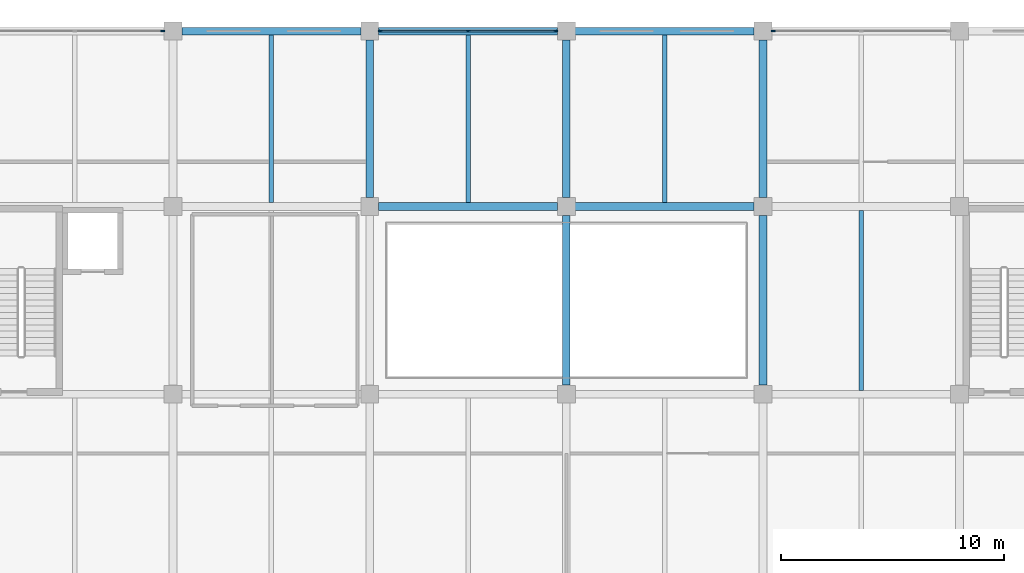
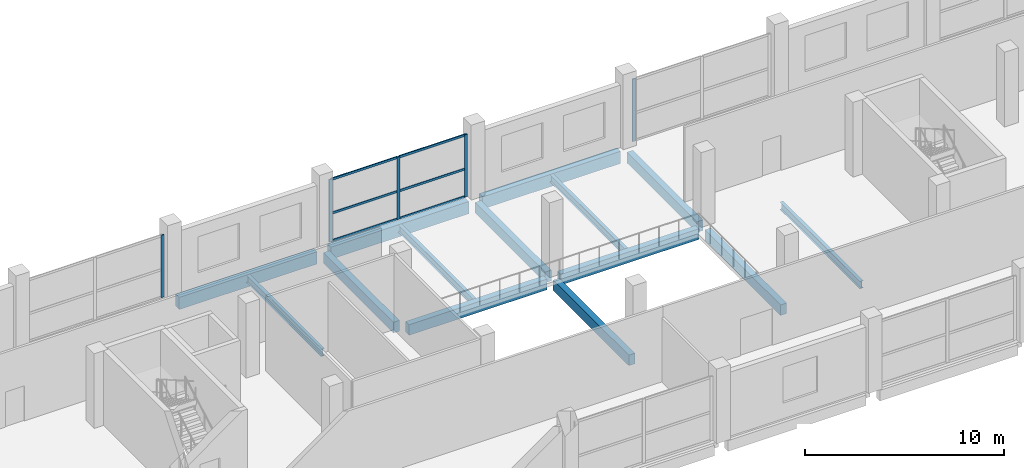
# One storey, part 12 of 31: 14 beams, 11 members, 3 elements without a shape of their own.
"""IFC4 building model written with IfcOpenShell, lengths in metres."""

import ifcopenshell
import ifcopenshell.guid

model = None  # the IFC model being written
_history = None  # IfcOwnerHistory: only IFC2X3 demands one
_inside = {}  # id of a spatial element -> (the spatial element, [elements in it])
_under = {}  # id of a project, library or spatial element -> (it, [spatial elements below it])
_declared = {}  # id of a project -> (the project, [libraries it declares])
_typed = {}  # id of a type object -> (the type object, [elements of that type])
_made_of = {}  # id of a material, layer set ... -> (it, [elements and type objects made of it])


def new_model(schema):
    """Start an empty IFC model of exactly this schema.

    Asked for "IFC4X3", IfcOpenShell would pick the latest addendum, in which some entities
    have other attributes; the version numbers below select the first issue.
    IFC2X3 requires an IfcOwnerHistory on every rooted entity: one is made here for all.
    """
    global model, _history
    if schema == "IFC4X3":
        model = ifcopenshell.file(schema_version=(4, 3, 0, 0))
    else:
        model = ifcopenshell.file(schema=schema)
    _inside.clear()
    _under.clear()
    _declared.clear()
    _typed.clear()
    _made_of.clear()
    _history = None
    if model.schema == "IFC2X3":
        org = make("IfcOrganization", Name="unknown")
        user = make(
            "IfcPersonAndOrganization",
            ThePerson=make("IfcPerson", FamilyName="unknown"),
            TheOrganization=org,
        )
        app = make(
            "IfcApplication",
            ApplicationDeveloper=org,
            Version="unknown",
            ApplicationFullName="unknown",
            ApplicationIdentifier="unknown",
        )
        _history = make(
            "IfcOwnerHistory",
            OwningUser=user,
            OwningApplication=app,
            ChangeAction="ADDED",
            CreationDate=0,
        )
    return model


def make(cls, **values):
    """One entity of the class cls with the attributes given. An attribute that is None is left unset."""
    return model.create_entity(
        cls, **{name: value for name, value in values.items() if value is not None}
    )


def rooted(cls, **values):
    """An entity with a GlobalId (a new one), such as an element, a storey or a relation."""
    return make(cls, GlobalId=ifcopenshell.guid.new(), OwnerHistory=_history, **values)


def si_unit(unit_type, name, prefix=None):
    """IfcSIUnit, for example si_unit("LENGTHUNIT", "METRE", prefix="MILLI")."""
    return make("IfcSIUnit", UnitType=unit_type, Prefix=prefix, Name=name)


def assignment(units):
    """IfcUnitAssignment: the units of a project."""
    return None if units is None else make("IfcUnitAssignment", Units=units)


def point(xyz):
    """IfcCartesianPoint."""
    return None if xyz is None else make("IfcCartesianPoint", Coordinates=xyz)


def direction(xyz):
    """IfcDirection."""
    return None if xyz is None else make("IfcDirection", DirectionRatios=xyz)


def frame(location, z_axis=None, x_axis=None):
    """IfcAxis2Placement3D, a coordinate frame: its origin and axes. An axis left out is left unset."""
    return make(
        "IfcAxis2Placement3D",
        Location=point(location),
        Axis=direction(z_axis),
        RefDirection=direction(x_axis),
    )


def frame_2d(location, x_axis=None):
    """IfcAxis2Placement2D, a coordinate frame in the plane: its origin and x axis."""
    return make(
        "IfcAxis2Placement2D", Location=point(location), RefDirection=direction(x_axis)
    )


def origin():
    """The frame at (0, 0, 0) with its axes left unset."""
    return frame((0.0, 0.0, 0.0))


def origin_2d():
    """The frame at (0, 0) in the plane with its x axis left unset."""
    return frame_2d((0.0, 0.0))


def place(relative_to, where):
    """IfcLocalPlacement: puts the frame where relative to a parent placement (None: the world)."""
    return make(
        "IfcLocalPlacement", PlacementRelTo=relative_to, RelativePlacement=where
    )


def context(
    kind, dimensions, precision=None, world=None, true_north=None, identifier=None
):
    """IfcGeometricRepresentationContext, for example the 3D "Model" context."""
    return make(
        "IfcGeometricRepresentationContext",
        ContextIdentifier=identifier,
        ContextType=kind,
        CoordinateSpaceDimension=dimensions,
        Precision=precision,
        WorldCoordinateSystem=world,
        TrueNorth=true_north,
    )


def subcontext(parent, identifier, kind, view, scale=None):
    """IfcGeometricRepresentationSubContext, for example "Body" below "Model"."""
    return make(
        "IfcGeometricRepresentationSubContext",
        ContextIdentifier=identifier,
        ContextType=kind,
        ParentContext=parent,
        TargetScale=scale,
        TargetView=view,
    )


def project(units=None, contexts=None):
    """IfcProject with its units and contexts."""
    return rooted(
        "IfcProject",
        Name="project",
        RepresentationContexts=contexts,
        UnitsInContext=assignment(units),
    )


def spatial(cls, under=None, at=None, **own):
    """A site, building, storey or space (cls), placed at a placement, below another one or the project."""
    s = rooted(cls, ObjectPlacement=at, **own)
    if under is not None:
        _under.setdefault(under.id(), (under, []))[1].append(s)
    return s


def profile(cls, at=None, kind="AREA", **sizes):
    """A parametric profile (cls). Its sizes go by their IFC names, for example OverallWidth=200.0."""
    return make(cls, ProfileType=kind, Position=at, **sizes)


def rectangle(**sizes):
    """IfcRectangleProfileDef."""
    return profile("IfcRectangleProfileDef", **sizes)


def i_section(**sizes):
    """IfcIShapeProfileDef."""
    return profile("IfcIShapeProfileDef", **sizes)


def extrude(swept, where, along, depth):
    """IfcExtrudedAreaSolid: the profile swept, set in the frame where, extruded along a direction by depth."""
    return make(
        "IfcExtrudedAreaSolid",
        SweptArea=swept,
        Position=where,
        ExtrudedDirection=direction(along),
        Depth=depth,
    )


def shape(context_of_items, identifier, shape_type, items):
    """IfcShapeRepresentation: the items that make up one representation, for example the "Body"."""
    return make(
        "IfcShapeRepresentation",
        ContextOfItems=context_of_items,
        RepresentationIdentifier=identifier,
        RepresentationType=shape_type,
        Items=items,
    )


def material(Name=None, Category=None):
    """IfcMaterial."""
    return make("IfcMaterial", Name=Name, Category=Category)


def material_profile(
    of_material, cross_section, Name=None, Category=None, Priority=None
):
    """IfcMaterialProfile: a cross section and its material."""
    return make(
        "IfcMaterialProfile",
        Name=Name,
        Material=of_material,
        Profile=cross_section,
        Priority=Priority,
        Category=Category,
    )


def profile_set(profiles, Name=None, composite=None):
    """IfcMaterialProfileSet."""
    return make(
        "IfcMaterialProfileSet",
        Name=Name,
        MaterialProfiles=profiles,
        CompositeProfile=composite,
    )


def made_of(thing, what):
    """Note that an element or type object is made of a material, layer set ...; save() writes the relation."""
    if what is not None:
        _made_of.setdefault(what.id(), (what, []))[1].append(thing)
    return thing


def type_object(cls, material=None, **own):
    """A type object (cls), such as IfcWallType, which elements share."""
    return made_of(rooted(cls, **own), material)


def element(
    cls,
    number,
    at=None,
    inside=None,
    cuts=None,
    type_object=None,
    material=None,
    context=None,
    identifier="Body",
    shape_type=None,
    held_by="IfcProductDefinitionShape",
    body=None,
    shapes=None,
    **own,
):
    """One element of the class cls, such as IfcWall. Its Tag is "e" and its number.

    at: its placement. inside: the storey or other place that contains it. cuts: it is an
    opening in that element (IfcRelVoidsElement). A single representation is given by context,
    identifier, shape_type and body (its items); several are given by shapes. held_by: the class
    of the entity that holds the representations. save() writes the other relations.
    """
    e = rooted(cls, Tag="e%d" % number, ObjectPlacement=at, **own)
    if body is not None:
        shapes = [shape(context, identifier, shape_type, body)]
    if shapes is not None:
        e.Representation = make(held_by, Representations=shapes)
    if inside is not None:
        _inside.setdefault(inside.id(), (inside, []))[1].append(e)
    if cuts is not None:
        rooted(
            "IfcRelVoidsElement", RelatingBuildingElement=cuts, RelatedOpeningElement=e
        )
    if type_object is not None:
        _typed.setdefault(type_object.id(), (type_object, []))[1].append(e)
    return made_of(e, material)


def aggregate(whole, parts):
    """IfcRelAggregates: a whole, such as a stair, and the parts it consists of."""
    return rooted("IfcRelAggregates", RelatingObject=whole, RelatedObjects=parts)


def save(model, path):
    """Write the relations noted so far, then the file.

    IfcRelAggregates (storeys below a building ...), IfcRelContainedInSpatialStructure (elements
    in a storey), IfcRelDefinesByType, IfcRelAssociatesMaterial and IfcRelDeclares: one each for
    every whole, place, type object, material and project.
    """
    for whole, parts in _under.values():
        aggregate(whole, parts)
    for where, things in _inside.values():
        rooted(
            "IfcRelContainedInSpatialStructure",
            RelatedElements=things,
            RelatingStructure=where,
        )
    for kind, things in _typed.values():
        rooted("IfcRelDefinesByType", RelatedObjects=things, RelatingType=kind)
    for what, things in _made_of.values():
        rooted("IfcRelAssociatesMaterial", RelatedObjects=things, RelatingMaterial=what)
    for by, libraries in _declared.values():
        rooted("IfcRelDeclares", RelatingContext=by, RelatedDefinitions=libraries)
    model.write(path)


model = new_model("IFC4")

# Units and contexts
model_context = context("Model", 3, precision=1e-05, world=origin(), true_north=direction((0.0, 1.0)))
body_context = subcontext(model_context, "Body", "Model", "MODEL_VIEW")
ifc_project = project(units=[si_unit("LENGTHUNIT", "METRE"), si_unit("AREAUNIT", "SQUARE_METRE"), si_unit("VOLUMEUNIT", "CUBIC_METRE"), si_unit("PLANEANGLEUNIT", "RADIAN"), si_unit("MASSUNIT", "GRAM", prefix="KILO")], contexts=[model_context])

# Site, building, storey
site_placement = place(None, origin())
site = spatial("IfcSite", under=ifc_project, at=site_placement, CompositionType="ELEMENT")
building_placement = place(site_placement, origin())
building = spatial("IfcBuilding", under=site, at=building_placement, Name="Brinegate Botanical Conservatory", CompositionType="ELEMENT")
storey_placement = place(building_placement, frame((0.0, 0.0, 5.39990234375)))
storey = spatial("IfcBuildingStorey", under=building, at=storey_placement, Name="L02", CompositionType="ELEMENT", Elevation=5.39990234375)

# Beams
ifc_material_1 = material(Name="Concrete C40/50", Category="concrete")
ifc_material_profile_1 = material_profile(ifc_material_1, rectangle(XDim=0.35009765625, YDim=0.64990234375, at=origin_2d()), Name="RC BM 350x650")
ifc_profile_set_1 = profile_set([ifc_material_profile_1], Name="Concrete C40/50")
beam_type_1 = type_object("IfcBeamType", Name="Beam_BM-V3", PredefinedType="BEAM", material=ifc_profile_set_1)
for number, where, z_axis, x_axis, name in (
    (1, (77.60009765625, 103.60009765625, -0.544921875), (1.0, 0.0, 0.0), (0.0, 1.0, 0.0), "Beam BM-V3 L02 N:10-11"),
    (2, (86.39990234375, 103.60009765625, -0.544921875), (1.0, 0.0, 0.0), (0.0, 1.0, 0.0), "Beam BM-V3 L02 N:11-12"),
):
    element("IfcBeam", number, at=place(storey_placement, frame(where, z_axis=z_axis, x_axis=x_axis)), inside=storey, type_object=beam_type_1, Name=name, PredefinedType="BEAM", context=body_context, shape_type="SweptSolid", body=[
        extrude(rectangle(XDim=0.35009765625, YDim=0.64990234375, at=origin_2d()), origin(), (0.0, 0.0, 1.0), 8.0),
    ])
beam_1_placement = place(storey_placement, frame((77.199951171875, 104.0, -0.544921875), z_axis=(0.0, 1.0, 0.0), x_axis=(-1.0, 0.0, 0.0)))
element("IfcBeam", 3, at=beam_1_placement, inside=storey, type_object=beam_type_1, Name="Beam BM-V3 L02 10:N-P", PredefinedType="BEAM", context=body_context, shape_type="SweptSolid", body=[
    extrude(rectangle(XDim=0.35009765625, YDim=0.64990234375, at=origin_2d()), origin(), (0.0, 0.0, 1.0), 7.050048828125),
])
beam_2_placement = place(storey_placement, frame((86.0, 95.60009765625, -0.544921875), z_axis=(0.0, 1.0, 0.0), x_axis=(-1.0, 0.0, 0.0)))
element("IfcBeam", 4, at=beam_2_placement, inside=storey, type_object=beam_type_1, Name="Beam BM-V3 L02 11:M-N", PredefinedType="BEAM", context=body_context, shape_type="SweptSolid", body=[
    extrude(rectangle(XDim=0.35009765625, YDim=0.64990234375, at=origin_2d()), origin(), (0.0, 0.0, 1.0), 7.599853515625),
])
beam_3_placement = place(storey_placement, frame((86.0, 104.0, -0.544921875), z_axis=(0.0, 1.0, 0.0), x_axis=(-1.0, 0.0, 0.0)))
element("IfcBeam", 5, at=beam_3_placement, inside=storey, type_object=beam_type_1, Name="Beam BM-V3 L02 11:N-P", PredefinedType="BEAM", context=body_context, shape_type="SweptSolid", body=[
    extrude(rectangle(XDim=0.35009765625, YDim=0.64990234375, at=origin_2d()), origin(), (0.0, 0.0, 1.0), 7.050048828125),
])
beam_4_placement = place(storey_placement, frame((94.800048828125, 95.60009765625, -0.544921875), z_axis=(0.0, 1.0, 0.0), x_axis=(-1.0, 0.0, 0.0)))
element("IfcBeam", 6, at=beam_4_placement, inside=storey, type_object=beam_type_1, Name="Beam BM-V3 L02 12:M-N", PredefinedType="BEAM", context=body_context, shape_type="SweptSolid", body=[
    extrude(rectangle(XDim=0.35009765625, YDim=0.64990234375, at=origin_2d()), origin(), (0.0, 0.0, 1.0), 7.599853515625),
])
beam_5_placement = place(storey_placement, frame((94.800048828125, 104.0, -0.544921875), z_axis=(0.0, 1.0, 0.0), x_axis=(-1.0, 0.0, 0.0)))
element("IfcBeam", 7, at=beam_5_placement, inside=storey, type_object=beam_type_1, Name="Beam BM-V3 L02 12:N-P", PredefinedType="BEAM", context=body_context, shape_type="SweptSolid", body=[
    extrude(rectangle(XDim=0.35009765625, YDim=0.64990234375, at=origin_2d()), origin(), (0.0, 0.0, 1.0), 7.050048828125),
])
ifc_material_2 = material(Name="Structural steel Q355B / S355", Category="steel")
ifc_material_profile_2 = material_profile(ifc_material_2, i_section(OverallWidth=0.199951171875, OverallDepth=0.449951171875, WebThickness=0.009033203125, FlangeThickness=0.013916015625, at=origin_2d()), Name="HN 450x200x9x14")
ifc_profile_set_2 = profile_set([ifc_material_profile_2], Name="Structural steel Q355B / S355")
beam_type_2 = type_object("IfcBeamType", Name="Beam_JS-S1", PredefinedType="JOIST", material=ifc_profile_set_2)
for number, where, z_axis, x_axis, name in (
    (8, (72.800048828125, 103.77490234375, -0.44482421875), (0.0, 1.0, 0.0), (-1.0, 0.0, 0.0), "Floor joist JS-S1 L02 bay 9.13"),
    (9, (81.60009765625, 103.77490234375, -0.44482421875), (0.0, 1.0, 0.0), (-1.0, 0.0, 0.0), "Floor joist JS-S1 L02 bay 10.13"),
    (10, (90.39990234375, 103.77490234375, -0.44482421875), (0.0, 1.0, 0.0), (-1.0, 0.0, 0.0), "Floor joist JS-S1 L02 bay 11.13"),
):
    element("IfcBeam", number, at=place(storey_placement, frame(where, z_axis=z_axis, x_axis=x_axis)), inside=storey, type_object=beam_type_2, Name=name, PredefinedType="JOIST", context=body_context, shape_type="SweptSolid", body=[
        extrude(i_section(OverallWidth=0.199951171875, OverallDepth=0.449951171875, WebThickness=0.009033203125, FlangeThickness=0.013916015625, at=origin_2d()), origin(), (0.0, 0.0, 1.0), 7.5),
    ])
beam_6_placement = place(storey_placement, frame((99.199951171875, 95.375, -0.44482421875), z_axis=(0.0, 1.0, 0.0), x_axis=(-1.0, 0.0, 0.0)))
element("IfcBeam", 11, at=beam_6_placement, inside=storey, type_object=beam_type_2, Name="Floor joist JS-S1 L02 bay 12.12", PredefinedType="JOIST", context=body_context, shape_type="SweptSolid", body=[
    extrude(i_section(OverallWidth=0.199951171875, OverallDepth=0.449951171875, WebThickness=0.009033203125, FlangeThickness=0.013916015625, at=origin_2d()), origin(), (0.0, 0.0, 1.0), 8.050048828125),
])
ifc_material_profile_3 = material_profile(ifc_material_1, rectangle(XDim=0.35009765625, YDim=0.75, at=origin_2d()), Name="RC SPN 350x750")
ifc_profile_set_3 = profile_set([ifc_material_profile_3], Name="Concrete C40/50")
beam_type_3 = type_object("IfcBeamType", Name="Beam_SP-01", PredefinedType="SPANDREL", material=ifc_profile_set_3)
for number, where, z_axis, x_axis, name in (
    (12, (68.800048828125, 111.449951171875, -0.594970703125), (1.0, 0.0, 0.0), (0.0, 1.0, 0.0), "Beam SP-01 L02 P:9-10"),
    (13, (77.60009765625, 111.449951171875, -0.594970703125), (1.0, 0.0, 0.0), (0.0, 1.0, 0.0), "Beam SP-01 L02 P:10-11"),
    (14, (86.39990234375, 111.449951171875, -0.594970703125), (1.0, 0.0, 0.0), (0.0, 1.0, 0.0), "Beam SP-01 L02 P:11-12"),
):
    element("IfcBeam", number, at=place(storey_placement, frame(where, z_axis=z_axis, x_axis=x_axis)), inside=storey, type_object=beam_type_3, Name=name, PredefinedType="SPANDREL", context=body_context, shape_type="SweptSolid", body=[
        extrude(rectangle(XDim=0.35009765625, YDim=0.75, at=origin_2d()), origin(), (0.0, 0.0, 1.0), 8.0),
    ])

# Curtain wall, member
ifc_material_3 = material(Name="Thermally broken anodised aluminium AW-6063-T6", Category="aluminium")
curtain_wall_type = type_object("IfcCurtainWallType", Name="CW_CW-V3", PredefinedType="USERDEFINED", material=ifc_material_3)
curtain_wall_1_placement = place(storey_placement, origin())
curtain_wall_1 = element("IfcCurtainWall", 15, at=curtain_wall_1_placement, inside=storey, type_object=curtain_wall_type, Name="Visitor north factory curtain wall L02.2", ObjectType="FACTORY CURTAIN WALL", PredefinedType="USERDEFINED")
ifc_material_profile_4 = material_profile(ifc_material_3, rectangle(XDim=0.06494140625, YDim=0.179931640625, at=origin_2d()), Name="ALUM MULLION 65x180")
ifc_profile_set_4 = profile_set([ifc_material_profile_4], Name="Thermally broken anodised aluminium AW-6063-T6")
member_type_1 = type_object("IfcMemberType", Name="Member_ML-02", PredefinedType="MULLION", material=ifc_profile_set_4)
member_1_placement = place(storey_placement, frame((67.927490234375, 111.449951171875, 0.0), z_axis=(0.0, 0.0, 1.0), x_axis=(0.0, 1.0, 0.0)))
member_1 = element("IfcMember", 16, at=member_1_placement, type_object=member_type_1, Name="CW-V3 mullion 3", PredefinedType="MULLION", context=body_context, shape_type="SweptSolid", body=[
    extrude(rectangle(XDim=0.06494140625, YDim=0.179931640625, at=origin_2d()), origin(), (0.0, 0.0, 1.0), 3.830078125),
])
aggregate(curtain_wall_1, [member_1])

# Curtain wall, members
curtain_wall_2_placement = place(storey_placement, origin())
curtain_wall_2 = element("IfcCurtainWall", 17, at=curtain_wall_2_placement, inside=storey, type_object=curtain_wall_type, Name="Visitor north factory curtain wall L02.4", ObjectType="FACTORY CURTAIN WALL", PredefinedType="USERDEFINED")
member_2_placement = place(storey_placement, frame((77.672607421875, 111.449951171875, 0.0), z_axis=(0.0, 0.0, 1.0), x_axis=(0.0, 1.0, 0.0)))
member_2 = element("IfcMember", 18, at=member_2_placement, type_object=member_type_1, Name="CW-V3 mullion 1", PredefinedType="MULLION", context=body_context, shape_type="SweptSolid", body=[
    extrude(rectangle(XDim=0.06494140625, YDim=0.179931640625, at=origin_2d()), origin(), (0.0, 0.0, 1.0), 3.830078125),
])
member_3_placement = place(storey_placement, frame((81.60009765625, 111.449951171875, 0.0), z_axis=(0.0, 0.0, 1.0), x_axis=(0.0, 1.0, 0.0)))
member_3 = element("IfcMember", 19, at=member_3_placement, type_object=member_type_1, Name="CW-V3 mullion 2", PredefinedType="MULLION", context=body_context, shape_type="SweptSolid", body=[
    extrude(rectangle(XDim=0.06494140625, YDim=0.179931640625, at=origin_2d()), origin(), (0.0, 0.0, 1.0), 3.830078125),
])
member_4_placement = place(storey_placement, frame((85.527587890625, 111.449951171875, 0.0), z_axis=(0.0, 0.0, 1.0), x_axis=(0.0, 1.0, 0.0)))
member_4 = element("IfcMember", 20, at=member_4_placement, type_object=member_type_1, Name="CW-V3 mullion 3", PredefinedType="MULLION", context=body_context, shape_type="SweptSolid", body=[
    extrude(rectangle(XDim=0.06494140625, YDim=0.179931640625, at=origin_2d()), origin(), (0.0, 0.0, 1.0), 3.830078125),
])

# Curtain wall, member
curtain_wall_3_placement = place(storey_placement, origin())
curtain_wall_3 = element("IfcCurtainWall", 21, at=curtain_wall_3_placement, inside=storey, type_object=curtain_wall_type, Name="Visitor north factory curtain wall L02.6", ObjectType="FACTORY CURTAIN WALL", PredefinedType="USERDEFINED")
member_5_placement = place(storey_placement, frame((95.2724609375, 111.449951171875, 0.0), z_axis=(0.0, 0.0, 1.0), x_axis=(0.0, 1.0, 0.0)))
member_5 = element("IfcMember", 22, at=member_5_placement, type_object=member_type_1, Name="CW-V3 mullion 1", PredefinedType="MULLION", context=body_context, shape_type="SweptSolid", body=[
    extrude(rectangle(XDim=0.06494140625, YDim=0.179931640625, at=origin_2d()), origin(), (0.0, 0.0, 1.0), 3.830078125),
])
aggregate(curtain_wall_3, [member_5])

# Member
ifc_material_profile_5 = material_profile(ifc_material_3, rectangle(XDim=0.06494140625, YDim=0.135009765625, at=origin_2d()), Name="ALUM TRANSOM 65x135")
ifc_profile_set_5 = profile_set([ifc_material_profile_5], Name="Thermally broken anodised aluminium AW-6063-T6")
member_type_2 = type_object("IfcMemberType", Name="Member_TR-02", PredefinedType="USERDEFINED", material=ifc_profile_set_5)
member_6_placement = place(storey_placement, frame((77.705078125, 111.449951171875, 0.03271484375), z_axis=(1.0, 0.0, 0.0), x_axis=(0.0, 1.0, 0.0)))
member_6 = element("IfcMember", 23, at=member_6_placement, type_object=member_type_2, Name="CW-V3 transom 1.1", ObjectType="TRANSOM", PredefinedType="USERDEFINED", context=body_context, shape_type="SweptSolid", body=[
    extrude(rectangle(XDim=0.06494140625, YDim=0.135009765625, at=origin_2d()), origin(), (0.0, 0.0, 1.0), 3.8623046875),
])

member_7_placement = place(storey_placement, frame((77.705078125, 111.449951171875, 1.72314453125), z_axis=(1.0, 0.0, 0.0), x_axis=(0.0, 1.0, 0.0)))
member_7 = element("IfcMember", 24, at=member_7_placement, type_object=member_type_2, Name="CW-V3 transom 1.2", ObjectType="TRANSOM", PredefinedType="USERDEFINED", context=body_context, shape_type="SweptSolid", body=[
    extrude(rectangle(XDim=0.06494140625, YDim=0.135009765625, at=origin_2d()), origin(), (0.0, 0.0, 1.0), 3.8623046875),
])

member_8_placement = place(storey_placement, frame((77.705078125, 111.449951171875, 3.797607421875), z_axis=(1.0, 0.0, 0.0), x_axis=(0.0, 1.0, 0.0)))
member_8 = element("IfcMember", 25, at=member_8_placement, type_object=member_type_2, Name="CW-V3 transom 1.3", ObjectType="TRANSOM", PredefinedType="USERDEFINED", context=body_context, shape_type="SweptSolid", body=[
    extrude(rectangle(XDim=0.06494140625, YDim=0.135009765625, at=origin_2d()), origin(), (0.0, 0.0, 1.0), 3.8623046875),
])

member_9_placement = place(storey_placement, frame((81.632568359375, 111.449951171875, 0.03271484375), z_axis=(1.0, 0.0, 0.0), x_axis=(0.0, 1.0, 0.0)))
member_9 = element("IfcMember", 26, at=member_9_placement, type_object=member_type_2, Name="CW-V3 transom 2.1", ObjectType="TRANSOM", PredefinedType="USERDEFINED", context=body_context, shape_type="SweptSolid", body=[
    extrude(rectangle(XDim=0.06494140625, YDim=0.135009765625, at=origin_2d()), origin(), (0.0, 0.0, 1.0), 3.862548828125),
])

member_10_placement = place(storey_placement, frame((81.632568359375, 111.449951171875, 1.72314453125), z_axis=(1.0, 0.0, 0.0), x_axis=(0.0, 1.0, 0.0)))
member_10 = element("IfcMember", 27, at=member_10_placement, type_object=member_type_2, Name="CW-V3 transom 2.2", ObjectType="TRANSOM", PredefinedType="USERDEFINED", context=body_context, shape_type="SweptSolid", body=[
    extrude(rectangle(XDim=0.06494140625, YDim=0.135009765625, at=origin_2d()), origin(), (0.0, 0.0, 1.0), 3.862548828125),
])

member_11_placement = place(storey_placement, frame((81.632568359375, 111.449951171875, 3.797607421875), z_axis=(1.0, 0.0, 0.0), x_axis=(0.0, 1.0, 0.0)))
member_11 = element("IfcMember", 28, at=member_11_placement, type_object=member_type_2, Name="CW-V3 transom 2.3", ObjectType="TRANSOM", PredefinedType="USERDEFINED", context=body_context, shape_type="SweptSolid", body=[
    extrude(rectangle(XDim=0.06494140625, YDim=0.135009765625, at=origin_2d()), origin(), (0.0, 0.0, 1.0), 3.862548828125),
])

aggregate(curtain_wall_2, [member_2, member_3, member_4, member_6, member_7, member_8, member_9, member_10, member_11])

save(model, "model.ifc")
